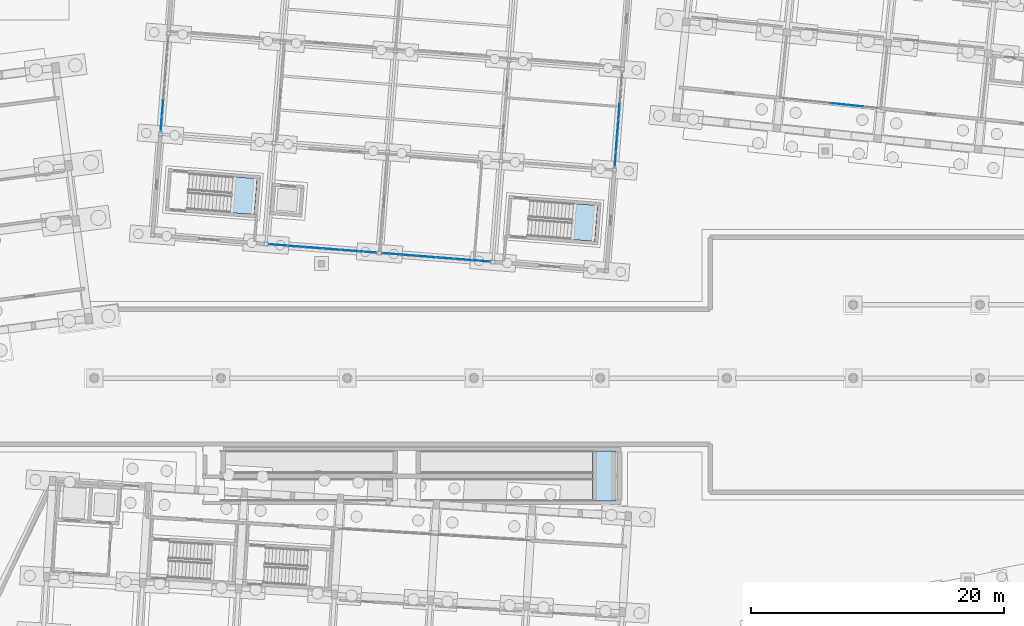
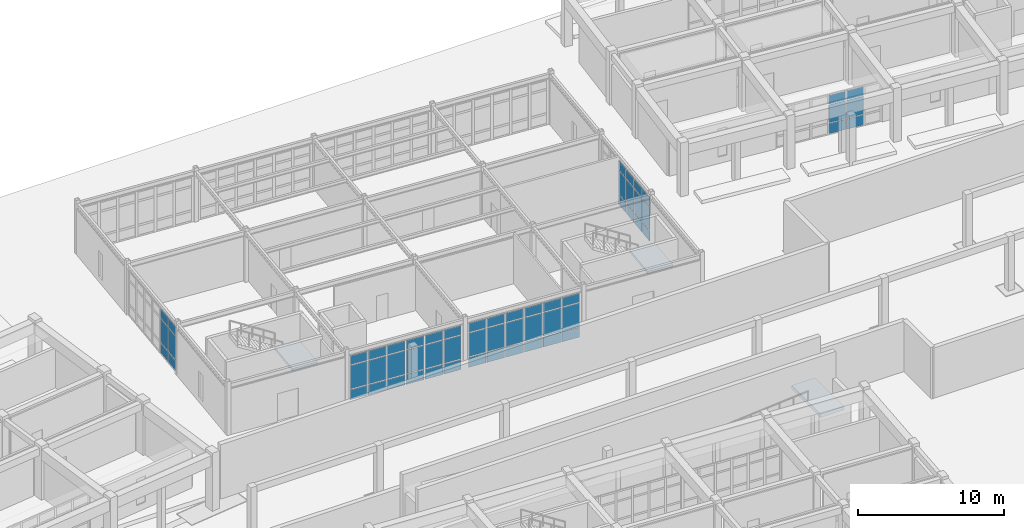
# One storey, part 110 of 154: 60 plates, 3 slabs, 8 elements without a shape of their own.
"""IFC4 building model written with IfcOpenShell, lengths in metres."""

from ifc_helpers import new_model, si_unit, direction, frame, origin, origin_2d, place, context, subcontext, project, spatial, polyline, rectangle, outline, extrude, material, layer, layer_set, type_object, element, aggregate, save


model = new_model("IFC4")

# Units and contexts
model_context = context("Model", 3, precision=1e-05, world=origin(), true_north=direction((0.0, 1.0)))
body_context = subcontext(model_context, "Body", "Model", "MODEL_VIEW")
ifc_project = project(units=[si_unit("LENGTHUNIT", "METRE"), si_unit("AREAUNIT", "SQUARE_METRE"), si_unit("VOLUMEUNIT", "CUBIC_METRE"), si_unit("PLANEANGLEUNIT", "RADIAN"), si_unit("MASSUNIT", "GRAM", prefix="KILO")], contexts=[model_context])

# Site, building, storey
site_placement = place(None, origin())
site = spatial("IfcSite", under=ifc_project, at=site_placement, CompositionType="ELEMENT")
building_placement = place(site_placement, origin())
building = spatial("IfcBuilding", under=site, at=building_placement, Name="Kestramere Prow Commons", CompositionType="ELEMENT")
storey_placement = place(building_placement, origin())
storey = spatial("IfcBuildingStorey", under=building, at=storey_placement, Name="L00", CompositionType="ELEMENT", Elevation=0.0)

# Curtain wall, plates
ifc_material_1 = material(Name="Anodised Aluminium and Low-E Glass", Category="aluminium")
curtain_wall_type_1 = type_object("IfcCurtainWallType", Name="CW-05 Glazed Curtain Wall 7980x3350", PredefinedType="USERDEFINED", material=ifc_material_1)
curtain_wall_1_placement = place(storey_placement, origin())
curtain_wall_1 = element("IfcCurtainWall", 1, at=curtain_wall_1_placement, inside=storey, type_object=curtain_wall_type_1, Name="Block B L00 South Colonnade Storefront 2", ObjectType="GLAZED CURTAIN WALL", PredefinedType="USERDEFINED")
ifc_material_2 = material(Name="Low-E Laminated Double Glazing", Category="glass")
ifc_layer_1 = layer(ifc_material_2, 0.028076171875)
ifc_layer_set_1 = layer_set([ifc_layer_1], Name="Low-E Laminated Double Glazing")
plate_type = type_object("IfcPlateType", Name="CW-PNL-28", PredefinedType="CURTAIN_PANEL", material=ifc_layer_set_1)
plate_1_placement = place(storey_placement, frame((124.169189453125, 95.723876953125, 0.06494140625), z_axis=(0.0, 0.0, 1.0), x_axis=(-0.994521883132, 0.104528579686, 0.0)))
plate_1 = element("IfcPlate", 2, at=plate_1_placement, type_object=plate_type, Name="CW-05 panel 2.1", PredefinedType="CURTAIN_PANEL", context=body_context, shape_type="SweptSolid", body=[
    extrude(rectangle(XDim=1.264892578125, YDim=0.028076171875, at=origin_2d()), origin(), (0.0, 0.0, 1.0), 0.8525390625),
])
plate_2_placement = place(storey_placement, frame((124.169189453125, 95.723876953125, 0.982421875), z_axis=(0.0, 0.0, 1.0), x_axis=(-0.994521883132, 0.104528579686, 0.0)))
plate_2 = element("IfcPlate", 3, at=plate_2_placement, type_object=plate_type, Name="CW-05 panel 2.2", PredefinedType="CURTAIN_PANEL", context=body_context, shape_type="SweptSolid", body=[
    extrude(rectangle(XDim=1.264892578125, YDim=0.028076171875, at=origin_2d()), origin(), (0.0, 0.0, 1.0), 1.485107421875),
])
plate_3_placement = place(storey_placement, frame((124.169189453125, 95.723876953125, 2.532470703125), z_axis=(0.0, 0.0, 1.0), x_axis=(-0.994521883132, 0.104528579686, 0.0)))
plate_3 = element("IfcPlate", 4, at=plate_3_placement, type_object=plate_type, Name="CW-05 panel 2.3", PredefinedType="CURTAIN_PANEL", context=body_context, shape_type="SweptSolid", body=[
    extrude(rectangle(XDim=1.264892578125, YDim=0.028076171875, at=origin_2d()), origin(), (0.0, 0.0, 1.0), 0.75244140625),
])
plate_4_placement = place(storey_placement, frame((122.846435546875, 95.863037109375, 0.06494140625), z_axis=(0.0, 0.0, 1.0), x_axis=(-0.994521883132, 0.104528579686, 0.0)))
plate_4 = element("IfcPlate", 5, at=plate_4_placement, type_object=plate_type, Name="CW-05 panel 3.1", PredefinedType="CURTAIN_PANEL", context=body_context, shape_type="SweptSolid", body=[
    extrude(rectangle(XDim=1.264892578125, YDim=0.028076171875, at=origin_2d()), origin(), (0.0, 0.0, 1.0), 0.8525390625),
])
plate_5_placement = place(storey_placement, frame((122.846435546875, 95.863037109375, 0.982421875), z_axis=(0.0, 0.0, 1.0), x_axis=(-0.994521883132, 0.104528579686, 0.0)))
plate_5 = element("IfcPlate", 6, at=plate_5_placement, type_object=plate_type, Name="CW-05 panel 3.2", PredefinedType="CURTAIN_PANEL", context=body_context, shape_type="SweptSolid", body=[
    extrude(rectangle(XDim=1.264892578125, YDim=0.028076171875, at=origin_2d()), origin(), (0.0, 0.0, 1.0), 1.485107421875),
])
plate_6_placement = place(storey_placement, frame((122.846435546875, 95.863037109375, 2.532470703125), z_axis=(0.0, 0.0, 1.0), x_axis=(-0.994521883132, 0.104528579686, 0.0)))
plate_6 = element("IfcPlate", 7, at=plate_6_placement, type_object=plate_type, Name="CW-05 panel 3.3", PredefinedType="CURTAIN_PANEL", context=body_context, shape_type="SweptSolid", body=[
    extrude(rectangle(XDim=1.264892578125, YDim=0.028076171875, at=origin_2d()), origin(), (0.0, 0.0, 1.0), 0.75244140625),
])
aggregate(curtain_wall_1, [plate_1, plate_2, plate_3, plate_4, plate_5, plate_6])

curtain_wall_type_2 = type_object("IfcCurtainWallType", Name="CW-13 Glazed Curtain Wall 8600x3830", PredefinedType="USERDEFINED", material=ifc_material_1)
curtain_wall_2_placement = place(storey_placement, origin())
curtain_wall_2 = element("IfcCurtainWall", 8, at=curtain_wall_2_placement, inside=storey, type_object=curtain_wall_type_2, Name="Nursery L00 South Classroom Glazing 2", ObjectType="GLAZED CURTAIN WALL", PredefinedType="USERDEFINED")
plate_7_placement = place(storey_placement, frame((85.612060546875, 84.1611328125, 0.074951171875), z_axis=(0.0, 0.0, 1.0), x_axis=(-0.996917336429, 0.078459061468, 0.0)))
plate_7 = element("IfcPlate", 9, at=plate_7_placement, type_object=plate_type, Name="CW-13 panel 1.1", PredefinedType="CURTAIN_PANEL", context=body_context, shape_type="SweptSolid", body=[
    extrude(rectangle(XDim=1.32080078125, YDim=0.028076171875, at=origin_2d()), origin(), (0.0, 0.0, 1.0), 0.83740234375),
])
plate_8_placement = place(storey_placement, frame((85.612060546875, 84.1611328125, 0.987548828125), z_axis=(0.0, 0.0, 1.0), x_axis=(-0.996917336429, 0.078459061468, 0.0)))
plate_8 = element("IfcPlate", 10, at=plate_8_placement, type_object=plate_type, Name="CW-13 panel 1.2", PredefinedType="CURTAIN_PANEL", context=body_context, shape_type="SweptSolid", body=[
    extrude(rectangle(XDim=1.32080078125, YDim=0.028076171875, at=origin_2d()), origin(), (0.0, 0.0, 1.0), 1.955078125),
])
plate_9_placement = place(storey_placement, frame((85.612060546875, 84.1611328125, 3.017578125), z_axis=(0.0, 0.0, 1.0), x_axis=(-0.996917336429, 0.078459061468, 0.0)))
plate_9 = element("IfcPlate", 11, at=plate_9_placement, type_object=plate_type, Name="CW-13 panel 1.3", PredefinedType="CURTAIN_PANEL", context=body_context, shape_type="SweptSolid", body=[
    extrude(rectangle(XDim=1.32080078125, YDim=0.028076171875, at=origin_2d()), origin(), (0.0, 0.0, 1.0), 0.737548828125),
])
plate_10_placement = place(storey_placement, frame((84.20166015625, 84.272216796875, 0.074951171875), z_axis=(0.0, 0.0, 1.0), x_axis=(-0.996917336429, 0.078459061468, 0.0)))
plate_10 = element("IfcPlate", 12, at=plate_10_placement, type_object=plate_type, Name="CW-13 panel 2.1", PredefinedType="CURTAIN_PANEL", context=body_context, shape_type="SweptSolid", body=[
    extrude(rectangle(XDim=1.3583984375, YDim=0.028076171875, at=origin_2d()), origin(), (0.0, 0.0, 1.0), 0.83740234375),
])
plate_11_placement = place(storey_placement, frame((84.20166015625, 84.272216796875, 0.987548828125), z_axis=(0.0, 0.0, 1.0), x_axis=(-0.996917336429, 0.078459061468, 0.0)))
plate_11 = element("IfcPlate", 13, at=plate_11_placement, type_object=plate_type, Name="CW-13 panel 2.2", PredefinedType="CURTAIN_PANEL", context=body_context, shape_type="SweptSolid", body=[
    extrude(rectangle(XDim=1.3583984375, YDim=0.028076171875, at=origin_2d()), origin(), (0.0, 0.0, 1.0), 1.955078125),
])
plate_12_placement = place(storey_placement, frame((84.20166015625, 84.272216796875, 3.017578125), z_axis=(0.0, 0.0, 1.0), x_axis=(-0.996917336429, 0.078459061468, 0.0)))
plate_12 = element("IfcPlate", 14, at=plate_12_placement, type_object=plate_type, Name="CW-13 panel 2.3", PredefinedType="CURTAIN_PANEL", context=body_context, shape_type="SweptSolid", body=[
    extrude(rectangle(XDim=1.3583984375, YDim=0.028076171875, at=origin_2d()), origin(), (0.0, 0.0, 1.0), 0.737548828125),
])
plate_13_placement = place(storey_placement, frame((82.77294921875, 84.384521484375, 0.074951171875), z_axis=(0.0, 0.0, 1.0), x_axis=(-0.996917336429, 0.078459061468, 0.0)))
plate_13 = element("IfcPlate", 15, at=plate_13_placement, type_object=plate_type, Name="CW-13 panel 3.1", PredefinedType="CURTAIN_PANEL", context=body_context, shape_type="SweptSolid", body=[
    extrude(rectangle(XDim=1.3583984375, YDim=0.028076171875, at=origin_2d()), origin(), (0.0, 0.0, 1.0), 0.83740234375),
])
plate_14_placement = place(storey_placement, frame((82.77294921875, 84.384521484375, 0.987548828125), z_axis=(0.0, 0.0, 1.0), x_axis=(-0.996917336429, 0.078459061468, 0.0)))
plate_14 = element("IfcPlate", 16, at=plate_14_placement, type_object=plate_type, Name="CW-13 panel 3.2", PredefinedType="CURTAIN_PANEL", context=body_context, shape_type="SweptSolid", body=[
    extrude(rectangle(XDim=1.3583984375, YDim=0.028076171875, at=origin_2d()), origin(), (0.0, 0.0, 1.0), 1.955078125),
])
plate_15_placement = place(storey_placement, frame((82.77294921875, 84.384521484375, 3.017578125), z_axis=(0.0, 0.0, 1.0), x_axis=(-0.996917336429, 0.078459061468, 0.0)))
plate_15 = element("IfcPlate", 17, at=plate_15_placement, type_object=plate_type, Name="CW-13 panel 3.3", PredefinedType="CURTAIN_PANEL", context=body_context, shape_type="SweptSolid", body=[
    extrude(rectangle(XDim=1.3583984375, YDim=0.028076171875, at=origin_2d()), origin(), (0.0, 0.0, 1.0), 0.737548828125),
])
plate_16_placement = place(storey_placement, frame((81.343994140625, 84.4970703125, 0.074951171875), z_axis=(0.0, 0.0, 1.0), x_axis=(-0.996917336429, 0.078459061468, 0.0)))
plate_16 = element("IfcPlate", 18, at=plate_16_placement, type_object=plate_type, Name="CW-13 panel 4.1", PredefinedType="CURTAIN_PANEL", context=body_context, shape_type="SweptSolid", body=[
    extrude(rectangle(XDim=1.3583984375, YDim=0.028076171875, at=origin_2d()), origin(), (0.0, 0.0, 1.0), 0.83740234375),
])
plate_17_placement = place(storey_placement, frame((81.343994140625, 84.4970703125, 0.987548828125), z_axis=(0.0, 0.0, 1.0), x_axis=(-0.996917336429, 0.078459061468, 0.0)))
plate_17 = element("IfcPlate", 19, at=plate_17_placement, type_object=plate_type, Name="CW-13 panel 4.2", PredefinedType="CURTAIN_PANEL", context=body_context, shape_type="SweptSolid", body=[
    extrude(rectangle(XDim=1.3583984375, YDim=0.028076171875, at=origin_2d()), origin(), (0.0, 0.0, 1.0), 1.955078125),
])
plate_18_placement = place(storey_placement, frame((81.343994140625, 84.4970703125, 3.017578125), z_axis=(0.0, 0.0, 1.0), x_axis=(-0.996917336429, 0.078459061468, 0.0)))
plate_18 = element("IfcPlate", 20, at=plate_18_placement, type_object=plate_type, Name="CW-13 panel 4.3", PredefinedType="CURTAIN_PANEL", context=body_context, shape_type="SweptSolid", body=[
    extrude(rectangle(XDim=1.3583984375, YDim=0.028076171875, at=origin_2d()), origin(), (0.0, 0.0, 1.0), 0.737548828125),
])
plate_19_placement = place(storey_placement, frame((79.9150390625, 84.609375, 0.074951171875), z_axis=(0.0, 0.0, 1.0), x_axis=(-0.996917336429, 0.078459061468, 0.0)))
plate_19 = element("IfcPlate", 21, at=plate_19_placement, type_object=plate_type, Name="CW-13 panel 5.1", PredefinedType="CURTAIN_PANEL", context=body_context, shape_type="SweptSolid", body=[
    extrude(rectangle(XDim=1.3583984375, YDim=0.028076171875, at=origin_2d()), origin(), (0.0, 0.0, 1.0), 0.83740234375),
])
plate_20_placement = place(storey_placement, frame((79.9150390625, 84.609375, 0.987548828125), z_axis=(0.0, 0.0, 1.0), x_axis=(-0.996917336429, 0.078459061468, 0.0)))
plate_20 = element("IfcPlate", 22, at=plate_20_placement, type_object=plate_type, Name="CW-13 panel 5.2", PredefinedType="CURTAIN_PANEL", context=body_context, shape_type="SweptSolid", body=[
    extrude(rectangle(XDim=1.3583984375, YDim=0.028076171875, at=origin_2d()), origin(), (0.0, 0.0, 1.0), 1.955078125),
])
plate_21_placement = place(storey_placement, frame((79.9150390625, 84.609375, 3.017578125), z_axis=(0.0, 0.0, 1.0), x_axis=(-0.996917336429, 0.078459061468, 0.0)))
plate_21 = element("IfcPlate", 23, at=plate_21_placement, type_object=plate_type, Name="CW-13 panel 5.3", PredefinedType="CURTAIN_PANEL", context=body_context, shape_type="SweptSolid", body=[
    extrude(rectangle(XDim=1.3583984375, YDim=0.028076171875, at=origin_2d()), origin(), (0.0, 0.0, 1.0), 0.737548828125),
])
plate_22_placement = place(storey_placement, frame((78.5048828125, 84.720458984375, 0.074951171875), z_axis=(0.0, 0.0, 1.0), x_axis=(-0.996917336429, 0.078459061468, 0.0)))
plate_22 = element("IfcPlate", 24, at=plate_22_placement, type_object=plate_type, Name="CW-13 panel 6.1", PredefinedType="CURTAIN_PANEL", context=body_context, shape_type="SweptSolid", body=[
    extrude(rectangle(XDim=1.32080078125, YDim=0.028076171875, at=origin_2d()), origin(), (0.0, 0.0, 1.0), 0.83740234375),
])
plate_23_placement = place(storey_placement, frame((78.5048828125, 84.720458984375, 0.987548828125), z_axis=(0.0, 0.0, 1.0), x_axis=(-0.996917336429, 0.078459061468, 0.0)))
plate_23 = element("IfcPlate", 25, at=plate_23_placement, type_object=plate_type, Name="CW-13 panel 6.2", PredefinedType="CURTAIN_PANEL", context=body_context, shape_type="SweptSolid", body=[
    extrude(rectangle(XDim=1.32080078125, YDim=0.028076171875, at=origin_2d()), origin(), (0.0, 0.0, 1.0), 1.955078125),
])
plate_24_placement = place(storey_placement, frame((78.5048828125, 84.720458984375, 3.017578125), z_axis=(0.0, 0.0, 1.0), x_axis=(-0.996917336429, 0.078459061468, 0.0)))
plate_24 = element("IfcPlate", 26, at=plate_24_placement, type_object=plate_type, Name="CW-13 panel 6.3", PredefinedType="CURTAIN_PANEL", context=body_context, shape_type="SweptSolid", body=[
    extrude(rectangle(XDim=1.32080078125, YDim=0.028076171875, at=origin_2d()), origin(), (0.0, 0.0, 1.0), 0.737548828125),
])
aggregate(curtain_wall_2, [plate_7, plate_8, plate_9, plate_10, plate_11, plate_12, plate_13, plate_14, plate_15, plate_16, plate_17, plate_18, plate_19, plate_20, plate_21, plate_22, plate_23, plate_24])

curtain_wall_3_placement = place(storey_placement, origin())
curtain_wall_3 = element("IfcCurtainWall", 27, at=curtain_wall_3_placement, inside=storey, type_object=curtain_wall_type_2, Name="Nursery L00 South Classroom Glazing 3", ObjectType="GLAZED CURTAIN WALL", PredefinedType="USERDEFINED")
plate_25_placement = place(storey_placement, frame((94.584228515625, 83.455078125, 0.074951171875), z_axis=(0.0, 0.0, 1.0), x_axis=(-0.996917336429, 0.078459061468, 0.0)))
plate_25 = element("IfcPlate", 28, at=plate_25_placement, type_object=plate_type, Name="CW-13 panel 1.1", PredefinedType="CURTAIN_PANEL", context=body_context, shape_type="SweptSolid", body=[
    extrude(rectangle(XDim=1.32080078125, YDim=0.028076171875, at=origin_2d()), origin(), (0.0, 0.0, 1.0), 0.83740234375),
])
plate_26_placement = place(storey_placement, frame((94.584228515625, 83.455078125, 0.987548828125), z_axis=(0.0, 0.0, 1.0), x_axis=(-0.996917336429, 0.078459061468, 0.0)))
plate_26 = element("IfcPlate", 29, at=plate_26_placement, type_object=plate_type, Name="CW-13 panel 1.2", PredefinedType="CURTAIN_PANEL", context=body_context, shape_type="SweptSolid", body=[
    extrude(rectangle(XDim=1.32080078125, YDim=0.028076171875, at=origin_2d()), origin(), (0.0, 0.0, 1.0), 1.955078125),
])
plate_27_placement = place(storey_placement, frame((94.584228515625, 83.455078125, 3.017578125), z_axis=(0.0, 0.0, 1.0), x_axis=(-0.996917336429, 0.078459061468, 0.0)))
plate_27 = element("IfcPlate", 30, at=plate_27_placement, type_object=plate_type, Name="CW-13 panel 1.3", PredefinedType="CURTAIN_PANEL", context=body_context, shape_type="SweptSolid", body=[
    extrude(rectangle(XDim=1.32080078125, YDim=0.028076171875, at=origin_2d()), origin(), (0.0, 0.0, 1.0), 0.737548828125),
])
plate_28_placement = place(storey_placement, frame((93.174072265625, 83.56591796875, 0.074951171875), z_axis=(0.0, 0.0, 1.0), x_axis=(-0.996917336429, 0.078459061468, 0.0)))
plate_28 = element("IfcPlate", 31, at=plate_28_placement, type_object=plate_type, Name="CW-13 panel 2.1", PredefinedType="CURTAIN_PANEL", context=body_context, shape_type="SweptSolid", body=[
    extrude(rectangle(XDim=1.3583984375, YDim=0.028076171875, at=origin_2d()), origin(), (0.0, 0.0, 1.0), 0.83740234375),
])
plate_29_placement = place(storey_placement, frame((93.174072265625, 83.56591796875, 0.987548828125), z_axis=(0.0, 0.0, 1.0), x_axis=(-0.996917336429, 0.078459061468, 0.0)))
plate_29 = element("IfcPlate", 32, at=plate_29_placement, type_object=plate_type, Name="CW-13 panel 2.2", PredefinedType="CURTAIN_PANEL", context=body_context, shape_type="SweptSolid", body=[
    extrude(rectangle(XDim=1.3583984375, YDim=0.028076171875, at=origin_2d()), origin(), (0.0, 0.0, 1.0), 1.955078125),
])
plate_30_placement = place(storey_placement, frame((93.174072265625, 83.56591796875, 3.017578125), z_axis=(0.0, 0.0, 1.0), x_axis=(-0.996917336429, 0.078459061468, 0.0)))
plate_30 = element("IfcPlate", 33, at=plate_30_placement, type_object=plate_type, Name="CW-13 panel 2.3", PredefinedType="CURTAIN_PANEL", context=body_context, shape_type="SweptSolid", body=[
    extrude(rectangle(XDim=1.3583984375, YDim=0.028076171875, at=origin_2d()), origin(), (0.0, 0.0, 1.0), 0.737548828125),
])
plate_31_placement = place(storey_placement, frame((91.7451171875, 83.678466796875, 0.074951171875), z_axis=(0.0, 0.0, 1.0), x_axis=(-0.996917336429, 0.078459061468, 0.0)))
plate_31 = element("IfcPlate", 34, at=plate_31_placement, type_object=plate_type, Name="CW-13 panel 3.1", PredefinedType="CURTAIN_PANEL", context=body_context, shape_type="SweptSolid", body=[
    extrude(rectangle(XDim=1.3583984375, YDim=0.028076171875, at=origin_2d()), origin(), (0.0, 0.0, 1.0), 0.83740234375),
])
plate_32_placement = place(storey_placement, frame((91.7451171875, 83.678466796875, 0.987548828125), z_axis=(0.0, 0.0, 1.0), x_axis=(-0.996917336429, 0.078459061468, 0.0)))
plate_32 = element("IfcPlate", 35, at=plate_32_placement, type_object=plate_type, Name="CW-13 panel 3.2", PredefinedType="CURTAIN_PANEL", context=body_context, shape_type="SweptSolid", body=[
    extrude(rectangle(XDim=1.3583984375, YDim=0.028076171875, at=origin_2d()), origin(), (0.0, 0.0, 1.0), 1.955078125),
])
plate_33_placement = place(storey_placement, frame((91.7451171875, 83.678466796875, 3.017578125), z_axis=(0.0, 0.0, 1.0), x_axis=(-0.996917336429, 0.078459061468, 0.0)))
plate_33 = element("IfcPlate", 36, at=plate_33_placement, type_object=plate_type, Name="CW-13 panel 3.3", PredefinedType="CURTAIN_PANEL", context=body_context, shape_type="SweptSolid", body=[
    extrude(rectangle(XDim=1.3583984375, YDim=0.028076171875, at=origin_2d()), origin(), (0.0, 0.0, 1.0), 0.737548828125),
])
plate_34_placement = place(storey_placement, frame((90.316162109375, 83.791015625, 0.074951171875), z_axis=(0.0, 0.0, 1.0), x_axis=(-0.996917336429, 0.078459061468, 0.0)))
plate_34 = element("IfcPlate", 37, at=plate_34_placement, type_object=plate_type, Name="CW-13 panel 4.1", PredefinedType="CURTAIN_PANEL", context=body_context, shape_type="SweptSolid", body=[
    extrude(rectangle(XDim=1.3583984375, YDim=0.028076171875, at=origin_2d()), origin(), (0.0, 0.0, 1.0), 0.83740234375),
])
plate_35_placement = place(storey_placement, frame((90.316162109375, 83.791015625, 0.987548828125), z_axis=(0.0, 0.0, 1.0), x_axis=(-0.996917336429, 0.078459061468, 0.0)))
plate_35 = element("IfcPlate", 38, at=plate_35_placement, type_object=plate_type, Name="CW-13 panel 4.2", PredefinedType="CURTAIN_PANEL", context=body_context, shape_type="SweptSolid", body=[
    extrude(rectangle(XDim=1.3583984375, YDim=0.028076171875, at=origin_2d()), origin(), (0.0, 0.0, 1.0), 1.955078125),
])
plate_36_placement = place(storey_placement, frame((90.316162109375, 83.791015625, 3.017578125), z_axis=(0.0, 0.0, 1.0), x_axis=(-0.996917336429, 0.078459061468, 0.0)))
plate_36 = element("IfcPlate", 39, at=plate_36_placement, type_object=plate_type, Name="CW-13 panel 4.3", PredefinedType="CURTAIN_PANEL", context=body_context, shape_type="SweptSolid", body=[
    extrude(rectangle(XDim=1.3583984375, YDim=0.028076171875, at=origin_2d()), origin(), (0.0, 0.0, 1.0), 0.737548828125),
])
plate_37_placement = place(storey_placement, frame((88.88720703125, 83.9033203125, 0.074951171875), z_axis=(0.0, 0.0, 1.0), x_axis=(-0.996917336429, 0.078459061468, 0.0)))
plate_37 = element("IfcPlate", 40, at=plate_37_placement, type_object=plate_type, Name="CW-13 panel 5.1", PredefinedType="CURTAIN_PANEL", context=body_context, shape_type="SweptSolid", body=[
    extrude(rectangle(XDim=1.3583984375, YDim=0.028076171875, at=origin_2d()), origin(), (0.0, 0.0, 1.0), 0.83740234375),
])
plate_38_placement = place(storey_placement, frame((88.88720703125, 83.9033203125, 0.987548828125), z_axis=(0.0, 0.0, 1.0), x_axis=(-0.996917336429, 0.078459061468, 0.0)))
plate_38 = element("IfcPlate", 41, at=plate_38_placement, type_object=plate_type, Name="CW-13 panel 5.2", PredefinedType="CURTAIN_PANEL", context=body_context, shape_type="SweptSolid", body=[
    extrude(rectangle(XDim=1.3583984375, YDim=0.028076171875, at=origin_2d()), origin(), (0.0, 0.0, 1.0), 1.955078125),
])
plate_39_placement = place(storey_placement, frame((88.88720703125, 83.9033203125, 3.017578125), z_axis=(0.0, 0.0, 1.0), x_axis=(-0.996917336429, 0.078459061468, 0.0)))
plate_39 = element("IfcPlate", 42, at=plate_39_placement, type_object=plate_type, Name="CW-13 panel 5.3", PredefinedType="CURTAIN_PANEL", context=body_context, shape_type="SweptSolid", body=[
    extrude(rectangle(XDim=1.3583984375, YDim=0.028076171875, at=origin_2d()), origin(), (0.0, 0.0, 1.0), 0.737548828125),
])
plate_40_placement = place(storey_placement, frame((87.47705078125, 84.014404296875, 0.074951171875), z_axis=(0.0, 0.0, 1.0), x_axis=(-0.996917336429, 0.078459061468, 0.0)))
plate_40 = element("IfcPlate", 43, at=plate_40_placement, type_object=plate_type, Name="CW-13 panel 6.1", PredefinedType="CURTAIN_PANEL", context=body_context, shape_type="SweptSolid", body=[
    extrude(rectangle(XDim=1.32080078125, YDim=0.028076171875, at=origin_2d()), origin(), (0.0, 0.0, 1.0), 0.83740234375),
])
plate_41_placement = place(storey_placement, frame((87.47705078125, 84.014404296875, 0.987548828125), z_axis=(0.0, 0.0, 1.0), x_axis=(-0.996917336429, 0.078459061468, 0.0)))
plate_41 = element("IfcPlate", 44, at=plate_41_placement, type_object=plate_type, Name="CW-13 panel 6.2", PredefinedType="CURTAIN_PANEL", context=body_context, shape_type="SweptSolid", body=[
    extrude(rectangle(XDim=1.32080078125, YDim=0.028076171875, at=origin_2d()), origin(), (0.0, 0.0, 1.0), 1.955078125),
])
plate_42_placement = place(storey_placement, frame((87.47705078125, 84.014404296875, 3.017578125), z_axis=(0.0, 0.0, 1.0), x_axis=(-0.996917336429, 0.078459061468, 0.0)))
plate_42 = element("IfcPlate", 45, at=plate_42_placement, type_object=plate_type, Name="CW-13 panel 6.3", PredefinedType="CURTAIN_PANEL", context=body_context, shape_type="SweptSolid", body=[
    extrude(rectangle(XDim=1.32080078125, YDim=0.028076171875, at=origin_2d()), origin(), (0.0, 0.0, 1.0), 0.737548828125),
])
aggregate(curtain_wall_3, [plate_25, plate_26, plate_27, plate_28, plate_29, plate_30, plate_31, plate_32, plate_33, plate_34, plate_35, plate_36, plate_37, plate_38, plate_39, plate_40, plate_41, plate_42])

curtain_wall_type_3 = type_object("IfcCurtainWallType", Name="CW-14 Glazed Curtain Wall 7600x3830", PredefinedType="USERDEFINED", material=ifc_material_1)
curtain_wall_4_placement = place(storey_placement, origin())
curtain_wall_4 = element("IfcCurtainWall", 46, at=curtain_wall_4_placement, inside=storey, type_object=curtain_wall_type_3, Name="Nursery L00 W End Glazing", ObjectType="GLAZED CURTAIN WALL", PredefinedType="USERDEFINED")
plate_43_placement = place(storey_placement, frame((69.29443359375, 94.32470703125, 0.074951171875), z_axis=(0.0, 0.0, 1.0), x_axis=(0.078459076345, 0.996917335259, 0.0)))
plate_43 = element("IfcPlate", 47, at=plate_43_placement, type_object=plate_type, Name="CW-14 panel 1.1", PredefinedType="CURTAIN_PANEL", context=body_context, shape_type="SweptSolid", body=[
    extrude(rectangle(XDim=1.154052734375, YDim=0.028076171875, at=origin_2d()), origin(), (0.0, 0.0, 1.0), 0.83740234375),
])
plate_44_placement = place(storey_placement, frame((69.29443359375, 94.32470703125, 0.987548828125), z_axis=(0.0, 0.0, 1.0), x_axis=(0.078459076345, 0.996917335259, 0.0)))
plate_44 = element("IfcPlate", 48, at=plate_44_placement, type_object=plate_type, Name="CW-14 panel 1.2", PredefinedType="CURTAIN_PANEL", context=body_context, shape_type="SweptSolid", body=[
    extrude(rectangle(XDim=1.154052734375, YDim=0.028076171875, at=origin_2d()), origin(), (0.0, 0.0, 1.0), 1.955078125),
])
plate_45_placement = place(storey_placement, frame((69.29443359375, 94.32470703125, 3.017578125), z_axis=(0.0, 0.0, 1.0), x_axis=(0.078459076345, 0.996917335259, 0.0)))
plate_45 = element("IfcPlate", 49, at=plate_45_placement, type_object=plate_type, Name="CW-14 panel 1.3", PredefinedType="CURTAIN_PANEL", context=body_context, shape_type="SweptSolid", body=[
    extrude(rectangle(XDim=1.154052734375, YDim=0.028076171875, at=origin_2d()), origin(), (0.0, 0.0, 1.0), 0.737548828125),
])
plate_46_placement = place(storey_placement, frame((69.392333984375, 95.56884765625, 0.074951171875), z_axis=(0.0, 0.0, 1.0), x_axis=(0.078459076345, 0.996917335259, 0.0)))
plate_46 = element("IfcPlate", 50, at=plate_46_placement, type_object=plate_type, Name="CW-14 panel 2.1", PredefinedType="CURTAIN_PANEL", context=body_context, shape_type="SweptSolid", body=[
    extrude(rectangle(XDim=1.191650390625, YDim=0.028076171875, at=origin_2d()), origin(), (0.0, 0.0, 1.0), 0.83740234375),
])
plate_47_placement = place(storey_placement, frame((69.392333984375, 95.56884765625, 0.987548828125), z_axis=(0.0, 0.0, 1.0), x_axis=(0.078459076345, 0.996917335259, 0.0)))
plate_47 = element("IfcPlate", 51, at=plate_47_placement, type_object=plate_type, Name="CW-14 panel 2.2", PredefinedType="CURTAIN_PANEL", context=body_context, shape_type="SweptSolid", body=[
    extrude(rectangle(XDim=1.191650390625, YDim=0.028076171875, at=origin_2d()), origin(), (0.0, 0.0, 1.0), 1.955078125),
])
plate_48_placement = place(storey_placement, frame((69.392333984375, 95.56884765625, 3.017578125), z_axis=(0.0, 0.0, 1.0), x_axis=(0.078459076345, 0.996917335259, 0.0)))
plate_48 = element("IfcPlate", 52, at=plate_48_placement, type_object=plate_type, Name="CW-14 panel 2.3", PredefinedType="CURTAIN_PANEL", context=body_context, shape_type="SweptSolid", body=[
    extrude(rectangle(XDim=1.191650390625, YDim=0.028076171875, at=origin_2d()), origin(), (0.0, 0.0, 1.0), 0.737548828125),
])
aggregate(curtain_wall_4, [plate_43, plate_44, plate_45, plate_46, plate_47, plate_48])

curtain_wall_5_placement = place(storey_placement, origin())
curtain_wall_5 = element("IfcCurtainWall", 53, at=curtain_wall_5_placement, inside=storey, type_object=curtain_wall_type_3, Name="Nursery L00 E End Glazing", ObjectType="GLAZED CURTAIN WALL", PredefinedType="USERDEFINED")
plate_49_placement = place(storey_placement, frame((105.480224609375, 95.269775390625, 0.074951171875), z_axis=(0.0, 0.0, 1.0), x_axis=(-0.078459086628, -0.996917334449, 0.0)))
plate_49 = element("IfcPlate", 54, at=plate_49_placement, type_object=plate_type, Name="CW-14 panel 3.1", PredefinedType="CURTAIN_PANEL", context=body_context, shape_type="SweptSolid", body=[
    extrude(rectangle(XDim=1.191650390625, YDim=0.028076171875, at=origin_2d()), origin(), (0.0, 0.0, 1.0), 0.83740234375),
])
plate_50_placement = place(storey_placement, frame((105.480224609375, 95.269775390625, 0.987548828125), z_axis=(0.0, 0.0, 1.0), x_axis=(-0.078459086628, -0.996917334449, 0.0)))
plate_50 = element("IfcPlate", 55, at=plate_50_placement, type_object=plate_type, Name="CW-14 panel 3.2", PredefinedType="CURTAIN_PANEL", context=body_context, shape_type="SweptSolid", body=[
    extrude(rectangle(XDim=1.191650390625, YDim=0.028076171875, at=origin_2d()), origin(), (0.0, 0.0, 1.0), 1.955078125),
])
plate_51_placement = place(storey_placement, frame((105.480224609375, 95.269775390625, 3.017578125), z_axis=(0.0, 0.0, 1.0), x_axis=(-0.078459086628, -0.996917334449, 0.0)))
plate_51 = element("IfcPlate", 56, at=plate_51_placement, type_object=plate_type, Name="CW-14 panel 3.3", PredefinedType="CURTAIN_PANEL", context=body_context, shape_type="SweptSolid", body=[
    extrude(rectangle(XDim=1.191650390625, YDim=0.028076171875, at=origin_2d()), origin(), (0.0, 0.0, 1.0), 0.737548828125),
])
plate_52_placement = place(storey_placement, frame((105.380859375, 94.007080078125, 0.074951171875), z_axis=(0.0, 0.0, 1.0), x_axis=(-0.078459086628, -0.996917334449, 0.0)))
plate_52 = element("IfcPlate", 57, at=plate_52_placement, type_object=plate_type, Name="CW-14 panel 4.1", PredefinedType="CURTAIN_PANEL", context=body_context, shape_type="SweptSolid", body=[
    extrude(rectangle(XDim=1.191650390625, YDim=0.028076171875, at=origin_2d()), origin(), (0.0, 0.0, 1.0), 0.83740234375),
])
plate_53_placement = place(storey_placement, frame((105.380859375, 94.007080078125, 0.987548828125), z_axis=(0.0, 0.0, 1.0), x_axis=(-0.078459086628, -0.996917334449, 0.0)))
plate_53 = element("IfcPlate", 58, at=plate_53_placement, type_object=plate_type, Name="CW-14 panel 4.2", PredefinedType="CURTAIN_PANEL", context=body_context, shape_type="SweptSolid", body=[
    extrude(rectangle(XDim=1.191650390625, YDim=0.028076171875, at=origin_2d()), origin(), (0.0, 0.0, 1.0), 1.955078125),
])
plate_54_placement = place(storey_placement, frame((105.380859375, 94.007080078125, 3.017578125), z_axis=(0.0, 0.0, 1.0), x_axis=(-0.078459086628, -0.996917334449, 0.0)))
plate_54 = element("IfcPlate", 59, at=plate_54_placement, type_object=plate_type, Name="CW-14 panel 4.3", PredefinedType="CURTAIN_PANEL", context=body_context, shape_type="SweptSolid", body=[
    extrude(rectangle(XDim=1.191650390625, YDim=0.028076171875, at=origin_2d()), origin(), (0.0, 0.0, 1.0), 0.737548828125),
])
plate_55_placement = place(storey_placement, frame((105.281494140625, 92.744384765625, 0.074951171875), z_axis=(0.0, 0.0, 1.0), x_axis=(-0.078459086628, -0.996917334449, 0.0)))
plate_55 = element("IfcPlate", 60, at=plate_55_placement, type_object=plate_type, Name="CW-14 panel 5.1", PredefinedType="CURTAIN_PANEL", context=body_context, shape_type="SweptSolid", body=[
    extrude(rectangle(XDim=1.191650390625, YDim=0.028076171875, at=origin_2d()), origin(), (0.0, 0.0, 1.0), 0.83740234375),
])
plate_56_placement = place(storey_placement, frame((105.281494140625, 92.744384765625, 0.987548828125), z_axis=(0.0, 0.0, 1.0), x_axis=(-0.078459086628, -0.996917334449, 0.0)))
plate_56 = element("IfcPlate", 61, at=plate_56_placement, type_object=plate_type, Name="CW-14 panel 5.2", PredefinedType="CURTAIN_PANEL", context=body_context, shape_type="SweptSolid", body=[
    extrude(rectangle(XDim=1.191650390625, YDim=0.028076171875, at=origin_2d()), origin(), (0.0, 0.0, 1.0), 1.955078125),
])
plate_57_placement = place(storey_placement, frame((105.281494140625, 92.744384765625, 3.017578125), z_axis=(0.0, 0.0, 1.0), x_axis=(-0.078459086628, -0.996917334449, 0.0)))
plate_57 = element("IfcPlate", 62, at=plate_57_placement, type_object=plate_type, Name="CW-14 panel 5.3", PredefinedType="CURTAIN_PANEL", context=body_context, shape_type="SweptSolid", body=[
    extrude(rectangle(XDim=1.191650390625, YDim=0.028076171875, at=origin_2d()), origin(), (0.0, 0.0, 1.0), 0.737548828125),
])
plate_58_placement = place(storey_placement, frame((105.18359375, 91.500244140625, 0.074951171875), z_axis=(0.0, 0.0, 1.0), x_axis=(-0.078459086628, -0.996917334449, 0.0)))
plate_58 = element("IfcPlate", 63, at=plate_58_placement, type_object=plate_type, Name="CW-14 panel 6.1", PredefinedType="CURTAIN_PANEL", context=body_context, shape_type="SweptSolid", body=[
    extrude(rectangle(XDim=1.154052734375, YDim=0.028076171875, at=origin_2d()), origin(), (0.0, 0.0, 1.0), 0.83740234375),
])
plate_59_placement = place(storey_placement, frame((105.18359375, 91.500244140625, 0.987548828125), z_axis=(0.0, 0.0, 1.0), x_axis=(-0.078459086628, -0.996917334449, 0.0)))
plate_59 = element("IfcPlate", 64, at=plate_59_placement, type_object=plate_type, Name="CW-14 panel 6.2", PredefinedType="CURTAIN_PANEL", context=body_context, shape_type="SweptSolid", body=[
    extrude(rectangle(XDim=1.154052734375, YDim=0.028076171875, at=origin_2d()), origin(), (0.0, 0.0, 1.0), 1.955078125),
])
plate_60_placement = place(storey_placement, frame((105.18359375, 91.500244140625, 3.017578125), z_axis=(0.0, 0.0, 1.0), x_axis=(-0.078459086628, -0.996917334449, 0.0)))
plate_60 = element("IfcPlate", 65, at=plate_60_placement, type_object=plate_type, Name="CW-14 panel 6.3", PredefinedType="CURTAIN_PANEL", context=body_context, shape_type="SweptSolid", body=[
    extrude(rectangle(XDim=1.154052734375, YDim=0.028076171875, at=origin_2d()), origin(), (0.0, 0.0, 1.0), 0.737548828125),
])
aggregate(curtain_wall_5, [plate_49, plate_50, plate_51, plate_52, plate_53, plate_54, plate_55, plate_56, plate_57, plate_58, plate_59, plate_60])

# Ramp, slab
ifc_material_3 = material(Name="Concrete C35/45", Category="concrete")
ramp_type = type_object("IfcRampType", Name="RMP-ACC-1800", PredefinedType="STRAIGHT_RUN_RAMP", material=ifc_material_3)
ramp_placement = place(storey_placement, origin())
ramp = element("IfcRamp", 66, at=ramp_placement, inside=storey, type_object=ramp_type, Name="Central Hillside Lower Accessible Ramp", PredefinedType="STRAIGHT_RUN_RAMP")
ifc_layer_2 = layer(ifc_material_3, 0.300048828125)
ifc_layer_set_2 = layer_set([ifc_layer_2], Name="Concrete C35/45")
slab_type_1 = type_object("IfcSlabType", Name="SL-RMP-LAND-300", PredefinedType="LANDING", material=ifc_layer_set_2)
slab_1_placement = place(storey_placement, frame((0.0, 0.0, 1.949951171875)))
slab_1 = element("IfcSlab", 67, at=slab_1_placement, type_object=slab_type_1, Name="Central Hillside Lower Accessible Ramp Switchback Turn Landing", PredefinedType="LANDING", context=body_context, shape_type="SweptSolid", body=[
    extrude(outline(polyline([(103.39990234375, 64.4599609375), (105.25, 64.4599609375), (105.25, 68.43994140625), (103.39990234375, 68.43994140625), (103.39990234375, 64.4599609375)])), origin(), (0.0, 0.0, 1.0), 0.300048828125),
])
aggregate(ramp, [slab_1])

# Stair, slab
ifc_material_4 = material(Name="Concrete C40/50", Category="concrete")
stair_type = type_object("IfcStairType", Name="ST-DOG-1350", PredefinedType="HALF_TURN_STAIR", material=ifc_material_4)
stair_1_placement = place(storey_placement, origin())
stair_1 = element("IfcStair", 68, at=stair_1_placement, inside=storey, type_object=stair_type, Name="L00 Nursery Pavilion Exit Stair 1", PredefinedType="HALF_TURN_STAIR")
ifc_layer_3 = layer(ifc_material_4, 0.199951171875)
ifc_layer_set_3 = layer_set([ifc_layer_3], Name="Concrete C40/50")
slab_type_2 = type_object("IfcSlabType", Name="SL-ST-LAND-200", PredefinedType="LANDING", material=ifc_layer_set_3)
slab_2_placement = place(storey_placement, frame((0.0, 0.0, 2.050048828125)))
slab_2 = element("IfcSlab", 69, at=slab_2_placement, type_object=slab_type_2, Name="ST-N1 landing 1", PredefinedType="LANDING", context=body_context, shape_type="SweptSolid", body=[
    extrude(outline(polyline([(74.72802734375, 87.274658203125), (76.652099609375, 87.123291015625), (76.875732421875, 89.96435546875), (74.95166015625, 90.115966796875), (74.72802734375, 87.274658203125)])), origin(), (0.0, 0.0, 1.0), 0.199951171875),
])
aggregate(stair_1, [slab_2])

stair_2_placement = place(storey_placement, origin())
stair_2 = element("IfcStair", 70, at=stair_2_placement, inside=storey, type_object=stair_type, Name="L00 Nursery Pavilion Exit Stair 2", PredefinedType="HALF_TURN_STAIR")
slab_3_placement = place(storey_placement, frame((0.0, 0.0, 2.050048828125)))
slab_3 = element("IfcSlab", 71, at=slab_3_placement, type_object=slab_type_2, Name="ST-N2 landing 1", PredefinedType="LANDING", context=body_context, shape_type="SweptSolid", body=[
    extrude(outline(polyline([(101.644775390625, 85.15625), (103.56884765625, 85.0048828125), (103.79248046875, 87.845947265625), (101.868408203125, 87.99755859375), (101.644775390625, 85.15625)])), origin(), (0.0, 0.0, 1.0), 0.199951171875),
])
aggregate(stair_2, [slab_3])

save(model, "model.ifc")
